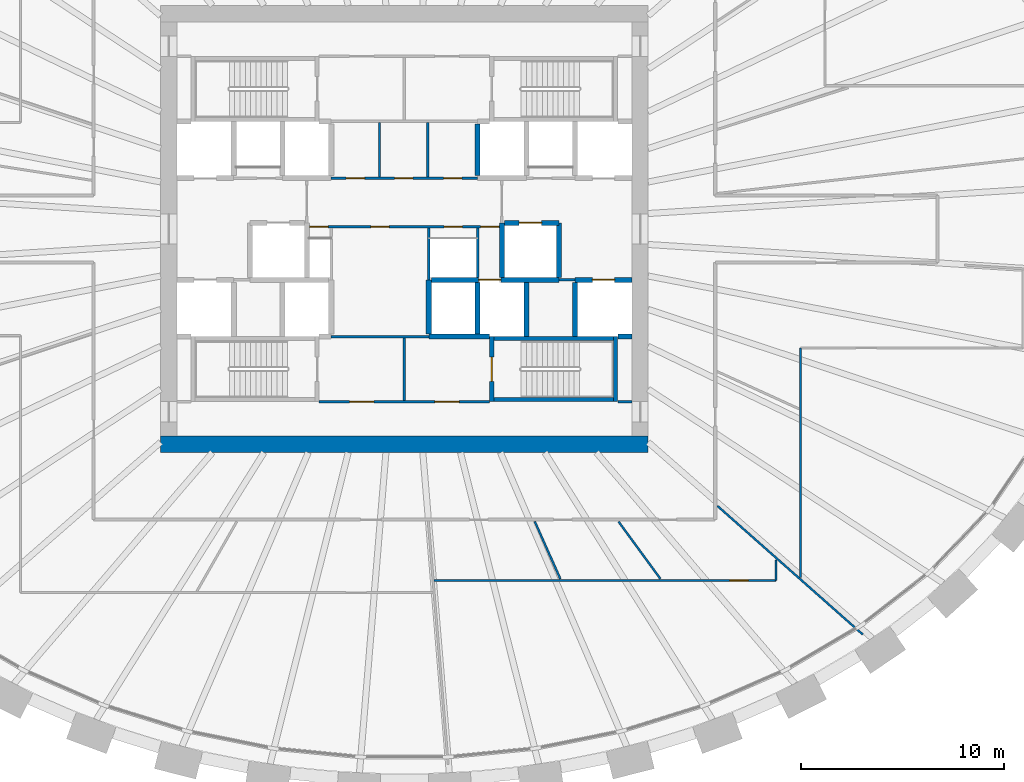
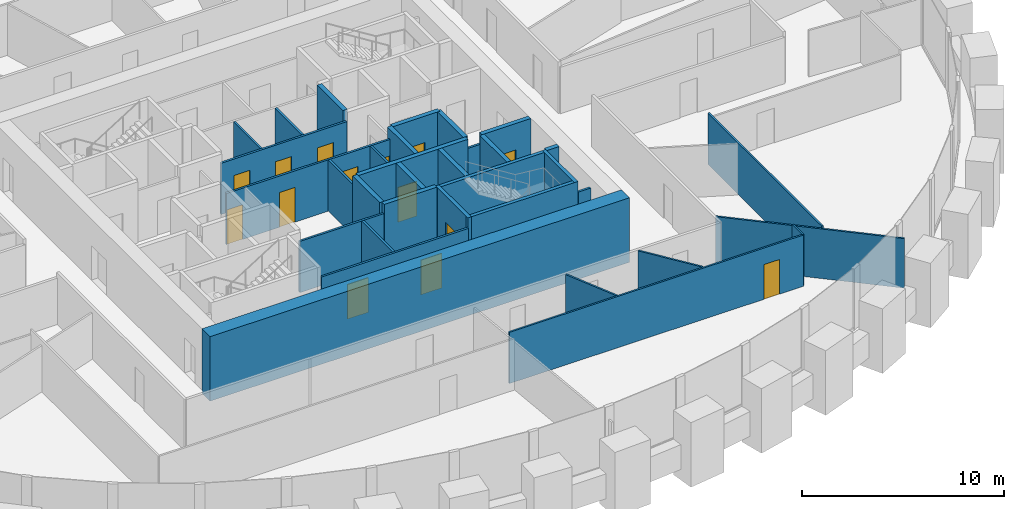
# One storey, part 7 of 11: 34 walls, 14 doors, 14 openings.
"""IFC4 building model written with IfcOpenShell, lengths in metres."""

from ifc_helpers import new_model, si_unit, direction, frame, frame_2d, origin, place, context, subcontext, project, spatial, rectangle, extrude, source, transform, mapped, material, layer, layer_set, type_object, element, fill, save


model = new_model("IFC4")

# Units and contexts
model_context = context("Model", 3, precision=1e-05, world=origin(), true_north=direction((0.0, 1.0)))
body_context = subcontext(model_context, "Body", "Model", "MODEL_VIEW")
ifc_project = project(units=[si_unit("LENGTHUNIT", "METRE"), si_unit("AREAUNIT", "SQUARE_METRE"), si_unit("VOLUMEUNIT", "CUBIC_METRE"), si_unit("PLANEANGLEUNIT", "RADIAN"), si_unit("MASSUNIT", "GRAM", prefix="KILO")], contexts=[model_context])

# Site, building, storey
site_placement = place(None, origin())
site = spatial("IfcSite", under=ifc_project, at=site_placement, CompositionType="ELEMENT")
building_placement = place(site_placement, origin())
building = spatial("IfcBuilding", under=site, at=building_placement, Name="Embergate Tower", CompositionType="ELEMENT")
storey_placement = place(building_placement, frame((0.0, 0.0, 219.0)))
storey = spatial("IfcBuildingStorey", under=building, at=storey_placement, Name="L50", CompositionType="ELEMENT", Elevation=219.0)

# Walls
ifc_material_1 = material(Name="Concrete C70", Category="concrete")
ifc_layer_1 = layer(ifc_material_1, 0.800048828125)
ifc_layer_set_1 = layer_set([ifc_layer_1], Name="Concrete C70")
wall_type_1 = type_object("IfcWallType", Name="Core outer wall C70 800", PredefinedType="SHEAR", material=ifc_layer_set_1)
shared_shape_1 = source(origin(), body_context, "Body", "SweptSolid", [
    extrude(rectangle(XDim=24.0, YDim=0.800048828125, at=frame_2d((12.0, 0.0))), origin(), (0.0, 0.0, 1.0), 3.89990234375),
])
wall_1_placement = place(storey_placement, frame((-12.0, -10.60009765625, -0.199951171875), z_axis=(0.0, 0.0, 1.0), x_axis=(1.0, 0.0, 0.0)))
element("IfcWall", 1, at=wall_1_placement, inside=storey, type_object=wall_type_1, Name="CW-L50-S", PredefinedType="SHEAR", context=body_context, shape_type="MappedRepresentation", body=[
    mapped(shared_shape_1, transform((0.0, 0.0, 0.0))),
])
ifc_material_2 = material(Name="Concrete C50", Category="concrete")
ifc_layer_2 = layer(ifc_material_2, 0.25)
ifc_layer_set_2 = layer_set([ifc_layer_2], Name="Concrete C50")
wall_type_2 = type_object("IfcWallType", Name="Hoistway wall reinforced concrete 250", PredefinedType="SHEAR", material=ifc_layer_set_2)
shared_shape_2 = source(origin(), body_context, "Body", "SweptSolid", [
    extrude(rectangle(XDim=2.675048828125, YDim=0.25, at=frame_2d((1.33740234375, 0.0))), origin(), (0.0, 0.0, 1.0), 3.699951171875),
])
for number, where, z_axis, x_axis, name in (
    (2, (1.199951171875, -2.5, 0.0), (0.0, 0.0, 1.0), (0.0, -1.0, 0.0), "HW-1 wall"),
    (3, (4.800048828125, -2.375, 0.0), (0.0, 0.0, 1.0), (0.0, 1.0, 0.0), "HW-1 wall"),
):
    element("IfcWall", number, at=place(storey_placement, frame(where, z_axis=z_axis, x_axis=x_axis)), inside=storey, type_object=wall_type_2, Name=name, PredefinedType="SHEAR", context=body_context, shape_type="MappedRepresentation", body=[
        mapped(shared_shape_2, transform((0.0, 0.0, 0.0))),
    ])

# Wall, opening, door
wall_2_placement = place(storey_placement, frame((7.60009765625, 0.300048828125, 0.0), z_axis=(0.0, 0.0, 1.0), x_axis=(-1.0, 0.0, 0.0)))
wall_2 = element("IfcWall", 4, at=wall_2_placement, inside=storey, type_object=wall_type_2, Name="HW-1 wall", PredefinedType="SHEAR", context=body_context, shape_type="MappedRepresentation", body=[
    mapped(shared_shape_2, transform((0.0, 0.0, 0.0))),
])
shared_shape_3 = source(origin(), body_context, "Body", "SweptSolid", [
    extrude(rectangle(XDim=1.10009765625, YDim=2.10009765625, at=frame_2d((0.550048828125, 1.050048828125))), frame((0.0, 0.135009765625, 0.0), z_axis=(0.0, -1.0, 0.0), x_axis=(1.0, 0.0, 0.0)), (0.0, 0.0, 1.0), 0.27001953125),
])
opening_1_placement = place(wall_2_placement, frame((0.85009765625, 0.0, 0.0)))
opening_1 = element("IfcOpeningElement", 5, at=opening_1_placement, cuts=wall_2, Name="Opening LD", PredefinedType="OPENING", context=body_context, shape_type="MappedRepresentation", body=[
    mapped(shared_shape_3, transform((0.0, 0.0, 0.0))),
])
ifc_material_3 = material(Name="Landing door sliding 1100")
door_type_1 = type_object("IfcDoorType", Name="Landing door sliding 1100", OperationType="SLIDING_TO_LEFT", PredefinedType="DOOR", material=ifc_material_3)
shared_shape_4 = source(origin(), body_context, "Body", "SweptSolid", [
    extrude(rectangle(XDim=1.10009765625, YDim=2.10009765625, at=frame_2d((0.550048828125, 1.050048828125))), frame((0.0, 0.02490234375, 0.0), z_axis=(0.0, -1.0, 0.0), x_axis=(1.0, 0.0, 0.0)), (0.0, 0.0, 1.0), 0.050048828125),
])
door_1_placement = place(opening_1_placement, origin())
door_1 = element("IfcDoor", 6, at=door_1_placement, inside=storey, type_object=door_type_1, Name="LD door", OperationType="SLIDING_TO_RIGHT", OverallHeight=2.10009765625, OverallWidth=1.10009765625, PredefinedType="DOOR", context=body_context, shape_type="MappedRepresentation", body=[
    mapped(shared_shape_4, transform((0.0, 0.0, 0.0))),
])
fill(opening_1, door_1)

# Walls
wall_3_placement = place(storey_placement, frame((7.60009765625, -2.375, 0.0), z_axis=(0.0, 0.0, 1.0), x_axis=(0.0, 1.0, 0.0)))
element("IfcWall", 7, at=wall_3_placement, inside=storey, type_object=wall_type_2, Name="HW-1 wall", PredefinedType="SHEAR", context=body_context, shape_type="MappedRepresentation", body=[
    mapped(shared_shape_2, transform((0.0, 0.0, 0.0))),
])
ifc_layer_3 = layer(ifc_material_2, 0.199951171875)
ifc_layer_set_3 = layer_set([ifc_layer_3], Name="Concrete C50")
wall_type_3 = type_object("IfcWallType", Name="Stair enclosure wall reinforced concrete 250", PredefinedType="SHEAR", material=ifc_layer_set_3)
shared_shape_5 = source(origin(), body_context, "Body", "SweptSolid", [
    extrude(rectangle(XDim=6.300048828125, YDim=0.199951171875, at=frame_2d((3.14990234375, 0.0))), origin(), (0.0, 0.0, 1.0), 3.699951171875),
])
for number, where, z_axis, x_axis, name in (
    (8, (4.199951171875, -5.39990234375, 0.0), (0.0, 0.0, 1.0), (1.0, 0.0, 0.0), "SE-1 wall"),
    (9, (4.199951171875, -8.39990234375, 0.0), (0.0, 0.0, 1.0), (1.0, 0.0, 0.0), "SE-1 wall"),
):
    element("IfcWall", number, at=place(storey_placement, frame(where, z_axis=z_axis, x_axis=x_axis)), inside=storey, type_object=wall_type_3, Name=name, PredefinedType="SHEAR", context=body_context, shape_type="MappedRepresentation", body=[
        mapped(shared_shape_5, transform((0.0, 0.0, 0.0))),
    ])
shared_shape_6 = source(origin(), body_context, "Body", "SweptSolid", [
    extrude(rectangle(XDim=2.550048828125, YDim=0.25, at=frame_2d((1.27490234375, 0.0))), origin(), (0.0, 0.0, 1.0), 3.699951171875),
])
for number, where, z_axis, x_axis, name in (
    (10, (3.60009765625, 5.175048828125, 0.0), (0.0, 0.0, 1.0), (0.0, -1.0, 0.0), "HW-1 wall"),
    (11, (3.60009765625, -5.175048828125, 0.0), (0.0, 0.0, 1.0), (0.0, 1.0, 0.0), "HW-1 wall"),
):
    element("IfcWall", number, at=place(storey_placement, frame(where, z_axis=z_axis, x_axis=x_axis)), inside=storey, type_object=wall_type_2, Name=name, PredefinedType="SHEAR", context=body_context, shape_type="MappedRepresentation", body=[
        mapped(shared_shape_6, transform((0.0, 0.0, 0.0))),
    ])

# Wall, opening, door
shared_shape_7 = source(origin(), body_context, "Body", "SweptSolid", [
    extrude(rectangle(XDim=3.199951171875, YDim=0.199951171875, at=frame_2d((1.60009765625, 0.0))), origin(), (0.0, 0.0, 1.0), 3.699951171875),
])
wall_4_placement = place(storey_placement, frame((4.300048828125, -5.300048828125, 0.0), z_axis=(0.0, 0.0, 1.0), x_axis=(0.0, -1.0, 0.0)))
wall_4 = element("IfcWall", 12, at=wall_4_placement, inside=storey, type_object=wall_type_3, Name="SE-1 wall", PredefinedType="SHEAR", context=body_context, shape_type="MappedRepresentation", body=[
    mapped(shared_shape_7, transform((0.0, 0.0, 0.0))),
])
shared_shape_8 = source(origin(), body_context, "Body", "SweptSolid", [
    extrude(rectangle(XDim=1.199951171875, YDim=2.10009765625, at=frame_2d((0.60009765625, 1.050048828125))), frame((0.0, 0.10986328125, 0.0), z_axis=(0.0, -1.0, 0.0), x_axis=(1.0, 0.0, 0.0)), (0.0, 0.0, 1.0), 0.219970703125),
])
opening_2_placement = place(wall_4_placement, frame((1.0, 0.0, 0.0)))
opening_2 = element("IfcOpeningElement", 13, at=opening_2_placement, cuts=wall_4, Name="Opening IF-2", PredefinedType="OPENING", context=body_context, shape_type="MappedRepresentation", body=[
    mapped(shared_shape_8, transform((0.0, 0.0, 0.0))),
])
ifc_material_4 = material(Name="Stair enclosure door 1200")
door_type_2 = type_object("IfcDoorType", Name="Stair enclosure door 1200", OperationType="SINGLE_SWING_LEFT", PredefinedType="DOOR", material=ifc_material_4)
shared_shape_9 = source(origin(), body_context, "Body", "SweptSolid", [
    extrude(rectangle(XDim=1.199951171875, YDim=2.10009765625, at=frame_2d((0.60009765625, 1.050048828125))), frame((0.0, 0.02490234375, 0.0), z_axis=(0.0, -1.0, 0.0), x_axis=(1.0, 0.0, 0.0)), (0.0, 0.0, 1.0), 0.050048828125),
])
door_2_placement = place(opening_2_placement, origin())
door_2 = element("IfcDoor", 14, at=door_2_placement, inside=storey, type_object=door_type_2, Name="IF-2 door", OperationType="SINGLE_SWING_RIGHT", OverallHeight=2.10009765625, OverallWidth=1.199951171875, PredefinedType="DOOR", context=body_context, shape_type="MappedRepresentation", body=[
    mapped(shared_shape_9, transform((0.0, 0.0, 0.0))),
])
fill(opening_2, door_2)

# Wall, openings, doors
ifc_material_5 = material(Name="Core partition blockwork 120")
ifc_layer_4 = layer(ifc_material_5, 0.1201171875)
ifc_layer_set_4 = layer_set([ifc_layer_4], Name="Core partition blockwork 120")
wall_type_4 = type_object("IfcWallType", Name="Core partition blockwork 120", PredefinedType="PARTITIONING", material=ifc_layer_set_4)
shared_shape_10 = source(origin(), body_context, "Body", "SweptSolid", [
    extrude(rectangle(XDim=8.39990234375, YDim=0.1201171875, at=frame_2d((4.199951171875, 0.0))), origin(), (0.0, 0.0, 1.0), 3.10009765625),
])
wall_5_placement = place(storey_placement, frame((-4.199951171875, -8.5, 0.0), z_axis=(0.0, 0.0, 1.0), x_axis=(1.0, 0.0, 0.0)))
wall_5 = element("IfcWall", 15, at=wall_5_placement, inside=storey, type_object=wall_type_4, Name="IP-3 wall", PredefinedType="PARTITIONING", context=body_context, shape_type="MappedRepresentation", body=[
    mapped(shared_shape_10, transform((0.0, 0.0, 0.0))),
])
shared_shape_11 = source(origin(), body_context, "Body", "SweptSolid", [
    extrude(rectangle(XDim=1.199951171875, YDim=2.10009765625, at=frame_2d((0.60009765625, 1.050048828125))), frame((0.0, 0.070068359375, 0.0), z_axis=(0.0, -1.0, 0.0), x_axis=(1.0, 0.0, 0.0)), (0.0, 0.0, 1.0), 0.14013671875),
])
opening_3_placement = place(wall_5_placement, frame((1.5, 0.0, 0.0)))
opening_3 = element("IfcOpeningElement", 16, at=opening_3_placement, cuts=wall_5, Name="Opening IF-3f", PredefinedType="OPENING", context=body_context, shape_type="MappedRepresentation", body=[
    mapped(shared_shape_11, transform((0.0, 0.0, 0.0))),
])
opening_4_placement = place(wall_5_placement, frame((5.699951171875, 0.0, 0.0)))
opening_4 = element("IfcOpeningElement", 17, at=opening_4_placement, cuts=wall_5, Name="Opening IF-3f", PredefinedType="OPENING", context=body_context, shape_type="MappedRepresentation", body=[
    mapped(shared_shape_11, transform((0.0, 0.0, 0.0))),
])
ifc_material_6 = material(Name="Lobby fire door pair 1200")
door_type_3 = type_object("IfcDoorType", Name="Lobby fire door pair 1200", OperationType="DOUBLE_DOOR_SINGLE_SWING", PredefinedType="DOOR", material=ifc_material_6)
door_3_placement = place(opening_3_placement, origin())
door_3 = element("IfcDoor", 18, at=door_3_placement, inside=storey, type_object=door_type_3, Name="IF-3 door", OperationType="DOUBLE_DOOR_SINGLE_SWING", OverallHeight=2.10009765625, OverallWidth=1.199951171875, PredefinedType="DOOR", context=body_context, shape_type="MappedRepresentation", body=[
    mapped(shared_shape_9, transform((0.0, 0.0, 0.0))),
])
fill(opening_3, door_3)
door_4_placement = place(opening_4_placement, origin())
door_4 = element("IfcDoor", 19, at=door_4_placement, inside=storey, type_object=door_type_3, Name="IF-3 door", OperationType="DOUBLE_DOOR_SINGLE_SWING", OverallHeight=2.10009765625, OverallWidth=1.199951171875, PredefinedType="DOOR", context=body_context, shape_type="MappedRepresentation", body=[
    mapped(shared_shape_9, transform((0.0, 0.0, 0.0))),
])
fill(opening_4, door_4)

# Walls
shared_shape_12 = source(origin(), body_context, "Body", "SweptSolid", [
    extrude(rectangle(XDim=2.679931640625, YDim=0.1201171875, at=frame_2d((1.33984375, 0.0))), origin(), (0.0, 0.0, 1.0), 3.10009765625),
])
for number, where, z_axis, x_axis, name in (
    (20, (-1.22412109375, 2.56005859375, 0.0), (0.0, 0.0, 1.0), (0.0, 1.0, 0.0), "IP-3 wall"),
    (21, (1.152099609375, 2.56005859375, 0.0), (0.0, 0.0, 1.0), (0.0, 1.0, 0.0), "IP-3 wall"),
):
    element("IfcWall", number, at=place(storey_placement, frame(where, z_axis=z_axis, x_axis=x_axis)), inside=storey, type_object=wall_type_4, Name=name, PredefinedType="PARTITIONING", context=body_context, shape_type="MappedRepresentation", body=[
        mapped(shared_shape_12, transform((0.0, 0.0, 0.0))),
    ])

# Wall, opening, door
shared_shape_13 = source(origin(), body_context, "Body", "SweptSolid", [
    extrude(rectangle(XDim=2.800048828125, YDim=0.25, at=frame_2d((1.39990234375, 0.0))), origin(), (0.0, 0.0, 1.0), 3.699951171875),
])
wall_6_placement = place(storey_placement, frame((11.199951171875, -2.5, 0.0), z_axis=(0.0, 0.0, 1.0), x_axis=(-1.0, 0.0, 0.0)))
wall_6 = element("IfcWall", 22, at=wall_6_placement, inside=storey, type_object=wall_type_2, Name="HW-1 wall", PredefinedType="SHEAR", context=body_context, shape_type="MappedRepresentation", body=[
    mapped(shared_shape_13, transform((0.0, 0.0, 0.0))),
])
opening_5_placement = place(wall_6_placement, frame((0.85009765625, 0.0, 0.0)))
opening_5 = element("IfcOpeningElement", 23, at=opening_5_placement, cuts=wall_6, Name="Opening LD", PredefinedType="OPENING", context=body_context, shape_type="MappedRepresentation", body=[
    mapped(shared_shape_3, transform((0.0, 0.0, 0.0))),
])
door_5_placement = place(opening_5_placement, origin())
door_5 = element("IfcDoor", 24, at=door_5_placement, inside=storey, type_object=door_type_1, Name="LD door", OperationType="SLIDING_TO_LEFT", OverallHeight=2.10009765625, OverallWidth=1.10009765625, PredefinedType="DOOR", context=body_context, shape_type="MappedRepresentation", body=[
    mapped(shared_shape_4, transform((0.0, 0.0, 0.0))),
])
fill(opening_5, door_5)

shared_shape_14 = source(origin(), body_context, "Body", "SweptSolid", [
    extrude(rectangle(XDim=6.27294921875, YDim=0.25, at=frame_2d((3.136474609375, 0.0))), origin(), (0.0, 0.0, 1.0), 3.699951171875),
])
wall_7_placement = place(storey_placement, frame((7.597900390625, -2.5, 0.0), z_axis=(0.0, 0.0, 1.0), x_axis=(-1.0, 0.0, 0.0)))
wall_7 = element("IfcWall", 25, at=wall_7_placement, inside=storey, type_object=wall_type_2, Name="HW-1 wall", PredefinedType="SHEAR", context=body_context, shape_type="MappedRepresentation", body=[
    mapped(shared_shape_14, transform((0.0, 0.0, 0.0))),
])
opening_6_placement = place(wall_7_placement, frame((2.847900390625, 0.0, 0.0)))
opening_6 = element("IfcOpeningElement", 26, at=opening_6_placement, cuts=wall_7, Name="Opening LD", PredefinedType="OPENING", context=body_context, shape_type="MappedRepresentation", body=[
    mapped(shared_shape_3, transform((0.0, 0.0, 0.0))),
])
door_6_placement = place(opening_6_placement, origin())
door_6 = element("IfcDoor", 27, at=door_6_placement, inside=storey, type_object=door_type_1, Name="LD door", OperationType="SLIDING_TO_LEFT", OverallHeight=2.10009765625, OverallWidth=1.10009765625, PredefinedType="DOOR", context=body_context, shape_type="MappedRepresentation", body=[
    mapped(shared_shape_4, transform((0.0, 0.0, 0.0))),
])
fill(opening_6, door_6)

# Wall
shared_shape_15 = source(origin(), body_context, "Body", "SweptSolid", [
    extrude(rectangle(XDim=3.0, YDim=0.25, at=frame_2d((1.5, 0.0))), origin(), (0.0, 0.0, 1.0), 3.699951171875),
])
wall_8_placement = place(storey_placement, frame((1.199951171875, -5.300048828125, 0.0), z_axis=(0.0, 0.0, 1.0), x_axis=(1.0, 0.0, 0.0)))
element("IfcWall", 28, at=wall_8_placement, inside=storey, type_object=wall_type_2, Name="HW-1 wall", PredefinedType="SHEAR", context=body_context, shape_type="MappedRepresentation", body=[
    mapped(shared_shape_15, transform((0.0, 0.0, 0.0))),
])

# Wall, openings, doors
shared_shape_16 = source(origin(), body_context, "Body", "SweptSolid", [
    extrude(rectangle(XDim=9.35009765625, YDim=0.1201171875, at=frame_2d((4.675048828125, 0.0))), origin(), (0.0, 0.0, 1.0), 3.10009765625),
])
wall_9_placement = place(storey_placement, frame((-4.675048828125, 0.10009765625, 0.0), z_axis=(0.0, 0.0, 1.0), x_axis=(1.0, 0.0, 0.0)))
wall_9 = element("IfcWall", 29, at=wall_9_placement, inside=storey, type_object=wall_type_4, Name="IP-3 wall", PredefinedType="PARTITIONING", context=body_context, shape_type="MappedRepresentation", body=[
    mapped(shared_shape_16, transform((0.0, 0.0, 0.0))),
])
shared_shape_17 = source(origin(), body_context, "Body", "SweptSolid", [
    extrude(rectangle(XDim=0.89990234375, YDim=2.10009765625, at=frame_2d((0.449951171875, 1.050048828125))), frame((0.0, 0.070068359375, 0.0), z_axis=(0.0, -1.0, 0.0), x_axis=(1.0, 0.0, 0.0)), (0.0, 0.0, 1.0), 0.14013671875),
])
opening_7_placement = place(wall_9_placement, frame((8.425048828125, 0.0, 0.0)))
opening_7 = element("IfcOpeningElement", 30, at=opening_7_placement, cuts=wall_9, Name="Opening IF-3c", PredefinedType="OPENING", context=body_context, shape_type="MappedRepresentation", body=[
    mapped(shared_shape_17, transform((0.0, 0.0, 0.0))),
])
opening_8_placement = place(wall_9_placement, frame((0.02490234375, 0.0, 0.0)))
opening_8 = element("IfcOpeningElement", 31, at=opening_8_placement, cuts=wall_9, Name="Opening ID-1", PredefinedType="OPENING", context=body_context, shape_type="MappedRepresentation", body=[
    mapped(shared_shape_17, transform((0.0, 0.0, 0.0))),
])
opening_9_placement = place(wall_9_placement, frame((6.625, 0.0, 0.0)))
opening_9 = element("IfcOpeningElement", 32, at=opening_9_placement, cuts=wall_9, Name="Opening ID-1", PredefinedType="OPENING", context=body_context, shape_type="MappedRepresentation", body=[
    mapped(shared_shape_17, transform((0.0, 0.0, 0.0))),
])
opening_10_placement = place(wall_9_placement, frame((3.02490234375, 0.0, 0.0)))
opening_10 = element("IfcOpeningElement", 33, at=opening_10_placement, cuts=wall_9, Name="Opening ID-1", PredefinedType="OPENING", context=body_context, shape_type="MappedRepresentation", body=[
    mapped(shared_shape_17, transform((0.0, 0.0, 0.0))),
])
ifc_material_7 = material(Name="Lobby fire door pair 900")
door_type_4 = type_object("IfcDoorType", Name="Lobby fire door pair 900", OperationType="DOUBLE_DOOR_SINGLE_SWING", PredefinedType="DOOR", material=ifc_material_7)
shared_shape_18 = source(origin(), body_context, "Body", "SweptSolid", [
    extrude(rectangle(XDim=0.89990234375, YDim=2.10009765625, at=frame_2d((0.449951171875, 1.050048828125))), frame((0.0, 0.02490234375, 0.0), z_axis=(0.0, -1.0, 0.0), x_axis=(1.0, 0.0, 0.0)), (0.0, 0.0, 1.0), 0.050048828125),
])
door_7_placement = place(opening_7_placement, origin())
door_7 = element("IfcDoor", 34, at=door_7_placement, inside=storey, type_object=door_type_4, Name="IF-3 door", OperationType="DOUBLE_DOOR_SINGLE_SWING", OverallHeight=2.10009765625, OverallWidth=0.89990234375, PredefinedType="DOOR", context=body_context, shape_type="MappedRepresentation", body=[
    mapped(shared_shape_18, transform((0.0, 0.0, 0.0))),
])
fill(opening_7, door_7)
ifc_material_8 = material(Name="Interior door 900")
door_type_5 = type_object("IfcDoorType", Name="Interior door 900", OperationType="SINGLE_SWING_LEFT", PredefinedType="DOOR", material=ifc_material_8)
door_8_placement = place(opening_8_placement, origin())
door_8 = element("IfcDoor", 35, at=door_8_placement, inside=storey, type_object=door_type_5, Name="ID-1 door", OperationType="SINGLE_SWING_RIGHT", OverallHeight=2.10009765625, OverallWidth=0.89990234375, PredefinedType="DOOR", context=body_context, shape_type="MappedRepresentation", body=[
    mapped(shared_shape_18, transform((0.0, 0.0, 0.0))),
])
fill(opening_8, door_8)
door_9_placement = place(opening_9_placement, origin())
door_9 = element("IfcDoor", 36, at=door_9_placement, inside=storey, type_object=door_type_5, Name="ID-1 door", OperationType="SINGLE_SWING_RIGHT", OverallHeight=2.10009765625, OverallWidth=0.89990234375, PredefinedType="DOOR", context=body_context, shape_type="MappedRepresentation", body=[
    mapped(shared_shape_18, transform((0.0, 0.0, 0.0))),
])
fill(opening_9, door_9)
door_10_placement = place(opening_10_placement, origin())
door_10 = element("IfcDoor", 37, at=door_10_placement, inside=storey, type_object=door_type_5, Name="ID-1 door", OperationType="SINGLE_SWING_LEFT", OverallHeight=2.10009765625, OverallWidth=0.89990234375, PredefinedType="DOOR", context=body_context, shape_type="MappedRepresentation", body=[
    mapped(shared_shape_18, transform((0.0, 0.0, 0.0))),
])
fill(opening_10, door_10)

shared_shape_19 = source(origin(), body_context, "Body", "SweptSolid", [
    extrude(rectangle(XDim=7.2001953125, YDim=0.1201171875, at=frame_2d((3.60009765625, 0.0))), origin(), (0.0, 0.0, 1.0), 3.10009765625),
])
wall_10_placement = place(storey_placement, frame((3.60009765625, 2.5, 0.0), z_axis=(0.0, 0.0, 1.0), x_axis=(-1.0, 0.0, 0.0)))
wall_10 = element("IfcWall", 38, at=wall_10_placement, inside=storey, type_object=wall_type_4, Name="IP-3 wall", PredefinedType="PARTITIONING", context=body_context, shape_type="MappedRepresentation", body=[
    mapped(shared_shape_19, transform((0.0, 0.0, 0.0))),
])
opening_11_placement = place(wall_10_placement, frame((5.56201171875, 0.0, 0.0)))
opening_11 = element("IfcOpeningElement", 39, at=opening_11_placement, cuts=wall_10, Name="Opening ID-1", PredefinedType="OPENING", context=body_context, shape_type="MappedRepresentation", body=[
    mapped(shared_shape_17, transform((0.0, 0.0, 0.0))),
])
opening_12_placement = place(wall_10_placement, frame((3.18603515625, 0.0, 0.0)))
opening_12 = element("IfcOpeningElement", 40, at=opening_12_placement, cuts=wall_10, Name="Opening ID-1", PredefinedType="OPENING", context=body_context, shape_type="MappedRepresentation", body=[
    mapped(shared_shape_17, transform((0.0, 0.0, 0.0))),
])
opening_13_placement = place(wall_10_placement, frame((0.77392578125, 0.0, 0.0)))
opening_13 = element("IfcOpeningElement", 41, at=opening_13_placement, cuts=wall_10, Name="Opening ID-1", PredefinedType="OPENING", context=body_context, shape_type="MappedRepresentation", body=[
    mapped(shared_shape_17, transform((0.0, 0.0, 0.0))),
])
door_11_placement = place(opening_11_placement, origin())
door_11 = element("IfcDoor", 42, at=door_11_placement, inside=storey, type_object=door_type_5, Name="ID-1 door", OperationType="SINGLE_SWING_RIGHT", OverallHeight=2.10009765625, OverallWidth=0.89990234375, PredefinedType="DOOR", context=body_context, shape_type="MappedRepresentation", body=[
    mapped(shared_shape_18, transform((0.0, 0.0, 0.0))),
])
fill(opening_11, door_11)
door_12_placement = place(opening_12_placement, origin())
door_12 = element("IfcDoor", 43, at=door_12_placement, inside=storey, type_object=door_type_5, Name="ID-1 door", OperationType="SINGLE_SWING_RIGHT", OverallHeight=2.10009765625, OverallWidth=0.89990234375, PredefinedType="DOOR", context=body_context, shape_type="MappedRepresentation", body=[
    mapped(shared_shape_18, transform((0.0, 0.0, 0.0))),
])
fill(opening_12, door_12)
door_13_placement = place(opening_13_placement, origin())
door_13 = element("IfcDoor", 44, at=door_13_placement, inside=storey, type_object=door_type_5, Name="ID-1 door", OperationType="SINGLE_SWING_LEFT", OverallHeight=2.10009765625, OverallWidth=0.89990234375, PredefinedType="DOOR", context=body_context, shape_type="MappedRepresentation", body=[
    mapped(shared_shape_18, transform((0.0, 0.0, 0.0))),
])
fill(opening_13, door_13)

# Walls
shared_shape_20 = source(origin(), body_context, "Body", "SweptSolid", [
    extrude(rectangle(XDim=2.5400390625, YDim=0.1201171875, at=frame_2d((1.27001953125, 0.0))), origin(), (0.0, 0.0, 1.0), 3.10009765625),
])
wall_11_placement = place(storey_placement, frame((1.199951171875, 0.0400390625, 0.0), z_axis=(0.0, 0.0, 1.0), x_axis=(0.0, -1.0, 0.0)))
element("IfcWall", 45, at=wall_11_placement, inside=storey, type_object=wall_type_4, Name="IP-3 wall", PredefinedType="PARTITIONING", context=body_context, shape_type="MappedRepresentation", body=[
    mapped(shared_shape_20, transform((0.0, 0.0, 0.0))),
])
shared_shape_21 = source(origin(), body_context, "Body", "SweptSolid", [
    extrude(rectangle(XDim=2.4150390625, YDim=0.1201171875, at=frame_2d((1.20751953125, 0.0))), origin(), (0.0, 0.0, 1.0), 3.10009765625),
])
wall_12_placement = place(storey_placement, frame((3.60009765625, -2.375, 0.0), z_axis=(0.0, 0.0, 1.0), x_axis=(0.0, 1.0, 0.0)))
element("IfcWall", 46, at=wall_12_placement, inside=storey, type_object=wall_type_4, Name="IP-3 wall", PredefinedType="PARTITIONING", context=body_context, shape_type="MappedRepresentation", body=[
    mapped(shared_shape_21, transform((0.0, 0.0, 0.0))),
])
shared_shape_22 = source(origin(), body_context, "Body", "SweptSolid", [
    extrude(rectangle(XDim=3.079833984375, YDim=0.1201171875, at=frame_2d((1.5400390625, 0.0))), origin(), (0.0, 0.0, 1.0), 3.10009765625),
])
wall_13_placement = place(storey_placement, frame((0.0, -8.43994140625, 0.0), z_axis=(0.0, 0.0, 1.0), x_axis=(0.0, 1.0, 0.0)))
element("IfcWall", 47, at=wall_13_placement, inside=storey, type_object=wall_type_4, Name="IP-3 wall", PredefinedType="PARTITIONING", context=body_context, shape_type="MappedRepresentation", body=[
    mapped(shared_shape_22, transform((0.0, 0.0, 0.0))),
])
shared_shape_23 = source(origin(), body_context, "Body", "SweptSolid", [
    extrude(rectangle(XDim=4.800048828125, YDim=0.1201171875, at=frame_2d((2.39990234375, 0.0))), origin(), (0.0, 0.0, 1.0), 3.10009765625),
])
wall_14_placement = place(storey_placement, frame((1.199951171875, -5.300048828125, 0.0), z_axis=(0.0, 0.0, 1.0), x_axis=(-1.0, 0.0, 0.0)))
element("IfcWall", 48, at=wall_14_placement, inside=storey, type_object=wall_type_4, Name="IP-3 wall", PredefinedType="PARTITIONING", context=body_context, shape_type="MappedRepresentation", body=[
    mapped(shared_shape_23, transform((0.0, 0.0, 0.0))),
])
shared_shape_24 = source(origin(), body_context, "Body", "SweptSolid", [
    extrude(rectangle(XDim=3.196044921875, YDim=0.199951171875, at=frame_2d((1.59814453125, 0.0))), origin(), (0.0, 0.0, 1.0), 3.699951171875),
])
wall_15_placement = place(storey_placement, frame((10.39990234375, -8.498046875, 0.0), z_axis=(0.0, 0.0, 1.0), x_axis=(0.0, 1.0, 0.0)))
element("IfcWall", 49, at=wall_15_placement, inside=storey, type_object=wall_type_3, Name="SE-1 wall", PredefinedType="SHEAR", context=body_context, shape_type="MappedRepresentation", body=[
    mapped(shared_shape_24, transform((0.0, 0.0, 0.0))),
])
shared_shape_25 = source(origin(), body_context, "Body", "SweptSolid", [
    extrude(rectangle(XDim=0.697998046875, YDim=0.25, at=frame_2d((0.34912109375, 0.0))), origin(), (0.0, 0.0, 1.0), 3.699951171875),
])
wall_16_placement = place(storey_placement, frame((10.501953125, -5.300048828125, 0.0), z_axis=(0.0, 0.0, 1.0), x_axis=(1.0, 0.0, 0.0)))
element("IfcWall", 50, at=wall_16_placement, inside=storey, type_object=wall_type_2, Name="HW-1 wall", PredefinedType="SHEAR", context=body_context, shape_type="MappedRepresentation", body=[
    mapped(shared_shape_25, transform((0.0, 0.0, 0.0))),
])
shared_shape_26 = source(origin(), body_context, "Body", "SweptSolid", [
    extrude(rectangle(XDim=2.671142578125, YDim=0.25, at=frame_2d((1.33544921875, 0.0))), origin(), (0.0, 0.0, 1.0), 3.699951171875),
])
for number, where, z_axis, x_axis, name in (
    (51, (6.0, -5.298095703125, 0.0), (0.0, 0.0, 1.0), (0.0, 1.0, 0.0), "HW-1 wall"),
    (52, (8.39990234375, -2.626953125, 0.0), (0.0, 0.0, 1.0), (0.0, -1.0, 0.0), "HW-1 wall"),
):
    element("IfcWall", number, at=place(storey_placement, frame(where, z_axis=z_axis, x_axis=x_axis)), inside=storey, type_object=wall_type_2, Name=name, PredefinedType="SHEAR", context=body_context, shape_type="MappedRepresentation", body=[
        mapped(shared_shape_26, transform((0.0, 0.0, 0.0))),
    ])
shared_shape_27 = source(origin(), body_context, "Body", "SweptSolid", [
    extrude(rectangle(XDim=0.7958984375, YDim=0.1201171875, at=frame_2d((0.39794921875, 0.0))), origin(), (0.0, 0.0, 1.0), 3.10009765625),
])
wall_17_placement = place(storey_placement, frame((7.60205078125, -2.5, 0.0), z_axis=(0.0, 0.0, 1.0), x_axis=(1.0, 0.0, 0.0)))
element("IfcWall", 53, at=wall_17_placement, inside=storey, type_object=wall_type_4, Name="IP-3 wall", PredefinedType="PARTITIONING", context=body_context, shape_type="MappedRepresentation", body=[
    mapped(shared_shape_27, transform((0.0, 0.0, 0.0))),
])
shared_shape_28 = source(origin(), body_context, "Body", "SweptSolid", [
    extrude(rectangle(XDim=0.697998046875, YDim=0.1201171875, at=frame_2d((0.34912109375, 0.0))), origin(), (0.0, 0.0, 1.0), 3.10009765625),
])
wall_18_placement = place(storey_placement, frame((11.199951171875, -8.5, 0.0), z_axis=(0.0, 0.0, 1.0), x_axis=(-1.0, 0.0, 0.0)))
element("IfcWall", 54, at=wall_18_placement, inside=storey, type_object=wall_type_4, Name="IP-3 wall", PredefinedType="PARTITIONING", context=body_context, shape_type="MappedRepresentation", body=[
    mapped(shared_shape_28, transform((0.0, 0.0, 0.0))),
])
ifc_material_9 = material(Name="Partition dry-lined 100 wet")
ifc_layer_5 = layer(ifc_material_9, 0.10009765625)
ifc_layer_set_5 = layer_set([ifc_layer_5], Name="Partition dry-lined 100 wet")
wall_type_5 = type_object("IfcWallType", Name="Partition dry-lined 100 wet", PredefinedType="PLUMBINGWALL", material=ifc_layer_set_5)
shared_shape_29 = source(origin(), body_context, "Body", "SweptSolid", [
    extrude(rectangle(XDim=3.10400390625, YDim=0.10009765625, at=frame_2d((1.552001953125, 0.0))), origin(), (0.0, 0.0, 1.0), 3.10009765625),
])
wall_19_placement = place(storey_placement, frame((6.416015625, -14.39501953125, 0.0), z_axis=(0.0, 0.0, 1.0), x_axis=(0.407196385875, -0.913340628315, 0.0)))
element("IfcWall", 55, at=wall_19_placement, inside=storey, type_object=wall_type_5, Name="IP-1 wall", PredefinedType="PLUMBINGWALL", context=body_context, shape_type="MappedRepresentation", body=[
    mapped(shared_shape_29, transform((0.0, 0.0, 0.0))),
])

# Wall, opening, door
shared_shape_30 = source(origin(), body_context, "Body", "SweptSolid", [
    extrude(rectangle(XDim=16.8359375, YDim=0.10009765625, at=frame_2d((8.41796875, 0.0))), origin(), (0.0, 0.0, 1.0), 3.10009765625),
])
wall_20_placement = place(storey_placement, frame((1.464111328125, -17.300048828125, 0.0), z_axis=(0.0, 0.0, 1.0), x_axis=(1.0, 0.0, 0.0)))
wall_20 = element("IfcWall", 56, at=wall_20_placement, inside=storey, type_object=wall_type_5, Name="IP-1 wall", PredefinedType="PLUMBINGWALL", context=body_context, shape_type="MappedRepresentation", body=[
    mapped(shared_shape_30, transform((0.0, 0.0, 0.0))),
])
shared_shape_31 = source(origin(), body_context, "Body", "SweptSolid", [
    extrude(rectangle(XDim=0.89990234375, YDim=2.10009765625, at=frame_2d((0.449951171875, 1.050048828125))), frame((0.0, 0.06005859375, 0.0), z_axis=(0.0, -1.0, 0.0), x_axis=(1.0, 0.0, 0.0)), (0.0, 0.0, 1.0), 0.1201171875),
])
opening_14_placement = place(wall_20_placement, frame((14.560302734375, 0.0, 0.0)))
opening_14 = element("IfcOpeningElement", 57, at=opening_14_placement, cuts=wall_20, Name="Opening ID-1", PredefinedType="OPENING", context=body_context, shape_type="MappedRepresentation", body=[
    mapped(shared_shape_31, transform((0.0, 0.0, 0.0))),
])
door_14_placement = place(opening_14_placement, origin())
door_14 = element("IfcDoor", 58, at=door_14_placement, inside=storey, type_object=door_type_5, Name="ID-1 door", OperationType="SINGLE_SWING_LEFT", OverallHeight=2.10009765625, OverallWidth=0.89990234375, PredefinedType="DOOR", context=body_context, shape_type="MappedRepresentation", body=[
    mapped(shared_shape_18, transform((0.0, 0.0, 0.0))),
])
fill(opening_14, door_14)

# Walls
shared_shape_32 = source(origin(), body_context, "Body", "SweptSolid", [
    extrude(rectangle(XDim=3.489501953125, YDim=0.10009765625, at=frame_2d((1.74462890625, 0.0))), origin(), (0.0, 0.0, 1.0), 3.10009765625),
])
wall_21_placement = place(storey_placement, frame((10.5419921875, -14.405029296875, 0.0), z_axis=(0.0, 0.0, 1.0), x_axis=(0.590623348937, -0.806947371078, 0.0)))
element("IfcWall", 59, at=wall_21_placement, inside=storey, type_object=wall_type_5, Name="IP-1 wall", PredefinedType="PLUMBINGWALL", context=body_context, shape_type="MappedRepresentation", body=[
    mapped(shared_shape_32, transform((0.0, 0.0, 0.0))),
])
shared_shape_33 = source(origin(), body_context, "Body", "SweptSolid", [
    extrude(rectangle(XDim=1.0, YDim=0.10009765625, at=frame_2d((0.5, 0.0))), origin(), (0.0, 0.0, 1.0), 3.10009765625),
])
wall_22_placement = place(storey_placement, frame((18.300048828125, -17.300048828125, 0.0), z_axis=(0.0, 0.0, 1.0), x_axis=(0.0, 1.0, 0.0)))
element("IfcWall", 60, at=wall_22_placement, inside=storey, type_object=wall_type_5, Name="IP-1 wall", PredefinedType="PLUMBINGWALL", context=body_context, shape_type="MappedRepresentation", body=[
    mapped(shared_shape_33, transform((0.0, 0.0, 0.0))),
])
shared_shape_34 = source(origin(), body_context, "Body", "SweptSolid", [
    extrude(rectangle(XDim=9.54833984375, YDim=0.10009765625, at=frame_2d((4.774169921875, 0.0))), origin(), (0.0, 0.0, 1.0), 3.0),
])
wall_23_placement = place(storey_placement, frame((22.56005859375, -19.95703125, 0.0), z_axis=(0.0, 0.0, 1.0), x_axis=(-0.749044876426, 0.662519262437, 0.0)))
element("IfcWall", 61, at=wall_23_placement, inside=storey, type_object=wall_type_5, Name="IP-1 wall", PredefinedType="PLUMBINGWALL", context=body_context, shape_type="MappedRepresentation", body=[
    mapped(shared_shape_34, transform((0.0, 0.0, 0.0))),
])
ifc_material_10 = material(Name="Partition dry-lined 100")
ifc_layer_6 = layer(ifc_material_10, 0.10009765625)
ifc_layer_set_6 = layer_set([ifc_layer_6], Name="Partition dry-lined 100")
wall_type_6 = type_object("IfcWallType", Name="Partition dry-lined 100", PredefinedType="PARTITIONING", material=ifc_layer_set_6)
shared_shape_35 = source(origin(), body_context, "Body", "SweptSolid", [
    extrude(rectangle(XDim=11.289794921875, YDim=0.10009765625, at=frame_2d((5.64501953125, 0.0))), origin(), (0.0, 0.0, 1.0), 3.10009765625),
])
wall_24_placement = place(storey_placement, frame((19.5, -5.85009765625, 0.0), z_axis=(0.0, 0.0, 1.0), x_axis=(0.0, -1.0, 0.0)))
element("IfcWall", 62, at=wall_24_placement, inside=storey, type_object=wall_type_6, Name="IP-1 wall", PredefinedType="PARTITIONING", context=body_context, shape_type="MappedRepresentation", body=[
    mapped(shared_shape_35, transform((0.0, 0.0, 0.0))),
])

save(model, "model.ifc")
